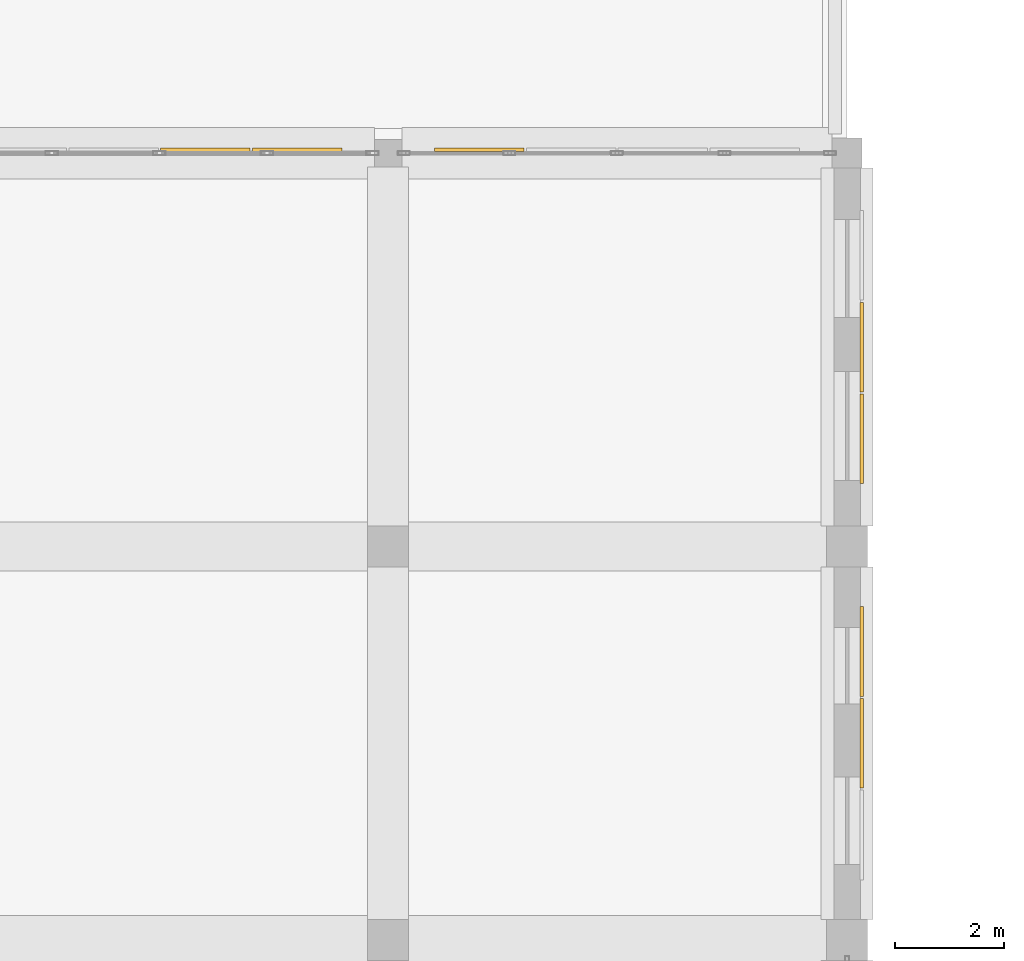
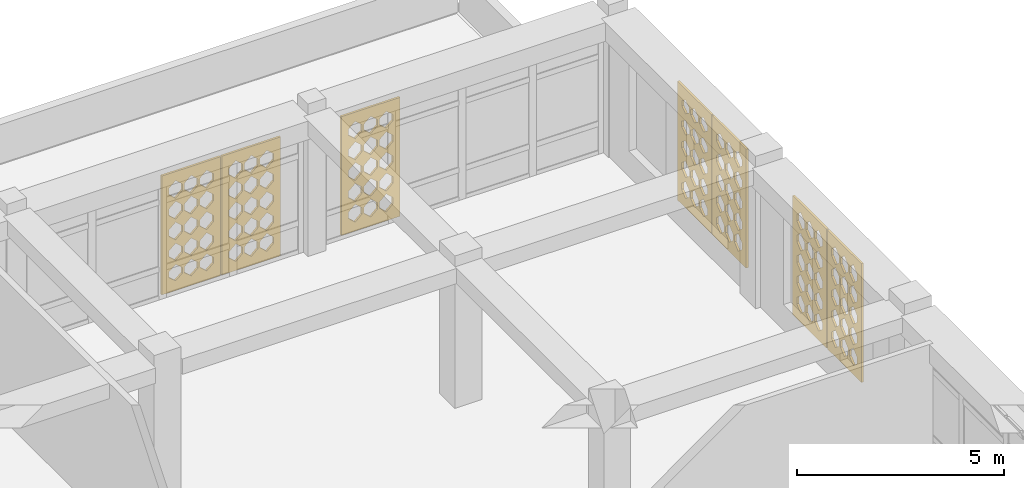
# One storey, part 104 of 111: 7 coverings.
"""IFC4 building model written with IfcOpenShell, lengths in metres."""

import ifcopenshell
import ifcopenshell.guid

model = None  # the IFC model being written
_history = None  # IfcOwnerHistory: only IFC2X3 demands one
_inside = {}  # id of a spatial element -> (the spatial element, [elements in it])
_under = {}  # id of a project, library or spatial element -> (it, [spatial elements below it])
_declared = {}  # id of a project -> (the project, [libraries it declares])
_typed = {}  # id of a type object -> (the type object, [elements of that type])
_made_of = {}  # id of a material, layer set ... -> (it, [elements and type objects made of it])


def new_model(schema):
    """Start an empty IFC model of exactly this schema.

    Asked for "IFC4X3", IfcOpenShell would pick the latest addendum, in which some entities
    have other attributes; the version numbers below select the first issue.
    IFC2X3 requires an IfcOwnerHistory on every rooted entity: one is made here for all.
    """
    global model, _history
    if schema == "IFC4X3":
        model = ifcopenshell.file(schema_version=(4, 3, 0, 0))
    else:
        model = ifcopenshell.file(schema=schema)
    _inside.clear()
    _under.clear()
    _declared.clear()
    _typed.clear()
    _made_of.clear()
    _history = None
    if model.schema == "IFC2X3":
        org = make("IfcOrganization", Name="unknown")
        user = make(
            "IfcPersonAndOrganization",
            ThePerson=make("IfcPerson", FamilyName="unknown"),
            TheOrganization=org,
        )
        app = make(
            "IfcApplication",
            ApplicationDeveloper=org,
            Version="unknown",
            ApplicationFullName="unknown",
            ApplicationIdentifier="unknown",
        )
        _history = make(
            "IfcOwnerHistory",
            OwningUser=user,
            OwningApplication=app,
            ChangeAction="ADDED",
            CreationDate=0,
        )
    return model


def make(cls, **values):
    """One entity of the class cls with the attributes given. An attribute that is None is left unset."""
    return model.create_entity(
        cls, **{name: value for name, value in values.items() if value is not None}
    )


def rooted(cls, **values):
    """An entity with a GlobalId (a new one), such as an element, a storey or a relation."""
    return make(cls, GlobalId=ifcopenshell.guid.new(), OwnerHistory=_history, **values)


def si_unit(unit_type, name, prefix=None):
    """IfcSIUnit, for example si_unit("LENGTHUNIT", "METRE", prefix="MILLI")."""
    return make("IfcSIUnit", UnitType=unit_type, Prefix=prefix, Name=name)


def derived_unit(unit_type, elements):
    """IfcDerivedUnit: a product of units, each with its exponent."""
    return make(
        "IfcDerivedUnit",
        Elements=[
            make("IfcDerivedUnitElement", Unit=unit, Exponent=power)
            for unit, power in elements
        ],
        UnitType=unit_type,
    )


def assignment(units):
    """IfcUnitAssignment: the units of a project."""
    return None if units is None else make("IfcUnitAssignment", Units=units)


def point(xyz):
    """IfcCartesianPoint."""
    return None if xyz is None else make("IfcCartesianPoint", Coordinates=xyz)


def direction(xyz):
    """IfcDirection."""
    return None if xyz is None else make("IfcDirection", DirectionRatios=xyz)


def frame(location, z_axis=None, x_axis=None):
    """IfcAxis2Placement3D, a coordinate frame: its origin and axes. An axis left out is left unset."""
    return make(
        "IfcAxis2Placement3D",
        Location=point(location),
        Axis=direction(z_axis),
        RefDirection=direction(x_axis),
    )


def origin():
    """The frame at (0, 0, 0) with its axes left unset."""
    return frame((0.0, 0.0, 0.0))


def place(relative_to, where):
    """IfcLocalPlacement: puts the frame where relative to a parent placement (None: the world)."""
    return make(
        "IfcLocalPlacement", PlacementRelTo=relative_to, RelativePlacement=where
    )


def context(
    kind, dimensions, precision=None, world=None, true_north=None, identifier=None
):
    """IfcGeometricRepresentationContext, for example the 3D "Model" context."""
    return make(
        "IfcGeometricRepresentationContext",
        ContextIdentifier=identifier,
        ContextType=kind,
        CoordinateSpaceDimension=dimensions,
        Precision=precision,
        WorldCoordinateSystem=world,
        TrueNorth=true_north,
    )


def subcontext(parent, identifier, kind, view, scale=None):
    """IfcGeometricRepresentationSubContext, for example "Body" below "Model"."""
    return make(
        "IfcGeometricRepresentationSubContext",
        ContextIdentifier=identifier,
        ContextType=kind,
        ParentContext=parent,
        TargetScale=scale,
        TargetView=view,
    )


def project(units=None, contexts=None):
    """IfcProject with its units and contexts."""
    return rooted(
        "IfcProject",
        Name="project",
        RepresentationContexts=contexts,
        UnitsInContext=assignment(units),
    )


def spatial(cls, under=None, at=None, **own):
    """A site, building, storey or space (cls), placed at a placement, below another one or the project."""
    s = rooted(cls, ObjectPlacement=at, **own)
    if under is not None:
        _under.setdefault(under.id(), (under, []))[1].append(s)
    return s


def polyline(points):
    """IfcPolyline through the points."""
    return make("IfcPolyline", Points=[point(p) for p in points])


def outline(outer, holes=None, kind="AREA"):
    """IfcArbitraryClosedProfileDef: a profile drawn as a closed curve; with holes, ...WithVoids."""
    if holes is None:
        return make("IfcArbitraryClosedProfileDef", ProfileType=kind, OuterCurve=outer)
    return make(
        "IfcArbitraryProfileDefWithVoids",
        ProfileType=kind,
        OuterCurve=outer,
        InnerCurves=holes,
    )


def extrude(swept, where, along, depth):
    """IfcExtrudedAreaSolid: the profile swept, set in the frame where, extruded along a direction by depth."""
    return make(
        "IfcExtrudedAreaSolid",
        SweptArea=swept,
        Position=where,
        ExtrudedDirection=direction(along),
        Depth=depth,
    )


def shape(context_of_items, identifier, shape_type, items):
    """IfcShapeRepresentation: the items that make up one representation, for example the "Body"."""
    return make(
        "IfcShapeRepresentation",
        ContextOfItems=context_of_items,
        RepresentationIdentifier=identifier,
        RepresentationType=shape_type,
        Items=items,
    )


def material(Name=None, Category=None):
    """IfcMaterial."""
    return make("IfcMaterial", Name=Name, Category=Category)


def layer(
    of_material, thickness, ventilated=None, Name=None, Category=None, Priority=None
):
    """IfcMaterialLayer: one layer of a wall or slab, of a material (None: an air gap)."""
    return make(
        "IfcMaterialLayer",
        Material=of_material,
        LayerThickness=thickness,
        IsVentilated=ventilated,
        Name=Name,
        Category=Category,
        Priority=Priority,
    )


def layer_set(layers, Name=None):
    """IfcMaterialLayerSet."""
    return make("IfcMaterialLayerSet", MaterialLayers=layers, LayerSetName=Name)


def made_of(thing, what):
    """Note that an element or type object is made of a material, layer set ...; save() writes the relation."""
    if what is not None:
        _made_of.setdefault(what.id(), (what, []))[1].append(thing)
    return thing


def type_object(cls, material=None, **own):
    """A type object (cls), such as IfcWallType, which elements share."""
    return made_of(rooted(cls, **own), material)


def element(
    cls,
    number,
    at=None,
    inside=None,
    cuts=None,
    type_object=None,
    material=None,
    context=None,
    identifier="Body",
    shape_type=None,
    held_by="IfcProductDefinitionShape",
    body=None,
    shapes=None,
    **own,
):
    """One element of the class cls, such as IfcWall. Its Tag is "e" and its number.

    at: its placement. inside: the storey or other place that contains it. cuts: it is an
    opening in that element (IfcRelVoidsElement). A single representation is given by context,
    identifier, shape_type and body (its items); several are given by shapes. held_by: the class
    of the entity that holds the representations. save() writes the other relations.
    """
    e = rooted(cls, Tag="e%d" % number, ObjectPlacement=at, **own)
    if body is not None:
        shapes = [shape(context, identifier, shape_type, body)]
    if shapes is not None:
        e.Representation = make(held_by, Representations=shapes)
    if inside is not None:
        _inside.setdefault(inside.id(), (inside, []))[1].append(e)
    if cuts is not None:
        rooted(
            "IfcRelVoidsElement", RelatingBuildingElement=cuts, RelatedOpeningElement=e
        )
    if type_object is not None:
        _typed.setdefault(type_object.id(), (type_object, []))[1].append(e)
    return made_of(e, material)


def aggregate(whole, parts):
    """IfcRelAggregates: a whole, such as a stair, and the parts it consists of."""
    return rooted("IfcRelAggregates", RelatingObject=whole, RelatedObjects=parts)


def save(model, path):
    """Write the relations noted so far, then the file.

    IfcRelAggregates (storeys below a building ...), IfcRelContainedInSpatialStructure (elements
    in a storey), IfcRelDefinesByType, IfcRelAssociatesMaterial and IfcRelDeclares: one each for
    every whole, place, type object, material and project.
    """
    for whole, parts in _under.values():
        aggregate(whole, parts)
    for where, things in _inside.values():
        rooted(
            "IfcRelContainedInSpatialStructure",
            RelatedElements=things,
            RelatingStructure=where,
        )
    for kind, things in _typed.values():
        rooted("IfcRelDefinesByType", RelatedObjects=things, RelatingType=kind)
    for what, things in _made_of.values():
        rooted("IfcRelAssociatesMaterial", RelatedObjects=things, RelatingMaterial=what)
    for by, libraries in _declared.values():
        rooted("IfcRelDeclares", RelatingContext=by, RelatedDefinitions=libraries)
    model.write(path)


model = new_model("IFC4")

# Units and contexts
model_context = context("Model", 3, precision=1e-05, world=origin(), true_north=direction((0.0, 1.0)))
body_context = subcontext(model_context, "Body", "Model", "MODEL_VIEW")
ifc_project = project(units=[si_unit("LENGTHUNIT", "METRE"), si_unit("AREAUNIT", "SQUARE_METRE"), si_unit("VOLUMEUNIT", "CUBIC_METRE"), si_unit("PLANEANGLEUNIT", "RADIAN"), si_unit("MASSUNIT", "GRAM", prefix="KILO"), derived_unit("THERMALTRANSMITTANCEUNIT", [(si_unit("POWERUNIT", "WATT"), 1), (si_unit("LENGTHUNIT", "METRE"), -2), (si_unit("THERMODYNAMICTEMPERATUREUNIT", "KELVIN"), -1)])], contexts=[model_context])

# Site, building, storey
site_placement = place(None, origin())
site = spatial("IfcSite", under=ifc_project, at=site_placement, CompositionType="ELEMENT")
building_placement = place(site_placement, origin())
building = spatial("IfcBuilding", under=site, at=building_placement, Name="Veybourne Emporium", CompositionType="ELEMENT")
storey_placement = place(building_placement, frame((0.0, 0.0, 9.89990234375)))
storey = spatial("IfcBuildingStorey", under=building, at=storey_placement, Name="L02", CompositionType="ELEMENT", Elevation=9.89990234375)

# Coverings
ifc_material = material(Name="Warm-White Perforated Aluminium Screen Alloy", Category="aluminium")
ifc_layer_1 = layer(ifc_material, 0.06005859375)
ifc_layer_set_1 = layer_set([ifc_layer_1], Name="Warm-White Perforated Aluminium Screen Alloy")
covering_type_1 = type_object("IfcCoveringType", Name="WaveScreen_SCR-01", PredefinedType="CLADDING", material=ifc_layer_set_1)
covering_1_placement = place(storey_placement, frame((101.09814453125, 102.77001953125, 1.815185546875), z_axis=(-1.0, 0.0, 0.0), x_axis=(0.0, -1.0, 0.0)))
element("IfcCovering", 1, at=covering_1_placement, inside=storey, type_object=covering_type_1, Name="L02 wave-perforated aluminium screen SCR-01 (59.3)", PredefinedType="CLADDING", context=body_context, shape_type="SweptSolid", body=[
    extrude(outline(polyline([(-0.81982421875, -1.7548828125), (0.81982421875, -1.7548828125), (0.81982421875, 1.7548828125), (-0.81982421875, 1.7548828125), (-0.81982421875, -1.7548828125)]), holes=[polyline([(-0.433349609375, -0.964111328125), (-0.2470703125, -1.133056640625), (-0.2470703125, -1.322998046875), (-0.433349609375, -1.491943359375), (-0.61962890625, -1.322998046875), (-0.61962890625, -1.133056640625), (-0.433349609375, -0.964111328125)]), polyline([(-0.433349609375, -0.353759765625), (-0.2470703125, -0.520263671875), (-0.2470703125, -0.707763671875), (-0.433349609375, -0.874267578125), (-0.61962890625, -0.707763671875), (-0.61962890625, -0.520263671875), (-0.433349609375, -0.353759765625)]), polyline([(-0.433349609375, 0.251220703125), (-0.2470703125, 0.09033203125), (-0.2470703125, -0.09033203125), (-0.433349609375, -0.251220703125), (-0.61962890625, -0.09033203125), (-0.61962890625, 0.09033203125), (-0.433349609375, 0.251220703125)]), polyline([(-0.433349609375, 0.8544921875), (-0.2470703125, 0.70068359375), (-0.2470703125, 0.52734375), (-0.433349609375, 0.37353515625), (-0.61962890625, 0.52734375), (-0.61962890625, 0.70068359375), (-0.433349609375, 0.8544921875)]), polyline([(-0.433349609375, 1.456298828125), (-0.2470703125, 1.310302734375), (-0.2470703125, 1.145751953125), (-0.433349609375, 0.999755859375), (-0.61962890625, 1.145751953125), (-0.61962890625, 1.310302734375), (-0.433349609375, 1.456298828125)]), polyline([(0.0, -0.964111328125), (0.186279296875, -1.133056640625), (0.186279296875, -1.322998046875), (0.0, -1.491943359375), (-0.186279296875, -1.322998046875), (-0.186279296875, -1.133056640625), (0.0, -0.964111328125)]), polyline([(0.0, -0.350341796875), (0.186279296875, -0.51904296875), (0.186279296875, -0.708984375), (0.0, -0.877685546875), (-0.186279296875, -0.708984375), (-0.186279296875, -0.51904296875), (0.0, -0.350341796875)]), polyline([(0.0, 0.255615234375), (0.186279296875, 0.092041015625), (0.186279296875, -0.092041015625), (0.0, -0.255615234375), (-0.186279296875, -0.092041015625), (-0.186279296875, 0.092041015625), (0.0, 0.255615234375)]), polyline([(0.0, 0.859619140625), (0.186279296875, 0.702392578125), (0.186279296875, 0.525634765625), (0.0, 0.368408203125), (-0.186279296875, 0.525634765625), (-0.186279296875, 0.702392578125), (0.0, 0.859619140625)]), polyline([(0.0, 1.4619140625), (0.186279296875, 1.312255859375), (0.186279296875, 1.143798828125), (0.0, 0.994140625), (-0.186279296875, 1.143798828125), (-0.186279296875, 1.312255859375), (0.0, 1.4619140625)]), polyline([(0.433349609375, -0.964111328125), (0.61962890625, -1.133056640625), (0.61962890625, -1.322998046875), (0.433349609375, -1.491943359375), (0.2470703125, -1.322998046875), (0.2470703125, -1.133056640625), (0.433349609375, -0.964111328125)]), polyline([(0.433349609375, -0.35009765625), (0.61962890625, -0.51904296875), (0.61962890625, -0.708984375), (0.433349609375, -0.8779296875), (0.2470703125, -0.708984375), (0.2470703125, -0.51904296875), (0.433349609375, -0.35009765625)]), polyline([(0.433349609375, 0.259521484375), (0.61962890625, 0.093505859375), (0.61962890625, -0.093505859375), (0.433349609375, -0.259521484375), (0.2470703125, -0.093505859375), (0.2470703125, 0.093505859375), (0.433349609375, 0.259521484375)]), polyline([(0.433349609375, 0.8642578125), (0.61962890625, 0.7041015625), (0.61962890625, 0.52392578125), (0.433349609375, 0.36376953125), (0.2470703125, 0.52392578125), (0.2470703125, 0.7041015625), (0.433349609375, 0.8642578125)]), polyline([(0.433349609375, 1.46728515625), (0.61962890625, 1.314208984375), (0.61962890625, 1.141845703125), (0.433349609375, 0.98876953125), (0.2470703125, 1.141845703125), (0.2470703125, 1.314208984375), (0.433349609375, 1.46728515625)])]), origin(), (0.0, 0.0, 1.0), 0.06005859375),
])
ifc_layer_2 = layer(ifc_material, 0.06005859375)
ifc_layer_set_2 = layer_set([ifc_layer_2], Name="Warm-White Perforated Aluminium Screen Alloy")
covering_type_2 = type_object("IfcCoveringType", Name="WaveScreen_SCR-02", PredefinedType="CLADDING", material=ifc_layer_set_2)
covering_2_placement = place(storey_placement, frame((101.09814453125, 98.8798828125, 1.815185546875), z_axis=(-1.0, 0.0, 0.0), x_axis=(0.0, -1.0, 0.0)))
element("IfcCovering", 2, at=covering_2_placement, inside=storey, type_object=covering_type_2, Name="L02 wave-perforated aluminium screen SCR-02 (58.1)", PredefinedType="CLADDING", context=body_context, shape_type="SweptSolid", body=[
    extrude(outline(polyline([(-0.81982421875, -1.7548828125), (0.81982421875, -1.7548828125), (0.81982421875, 1.7548828125), (-0.81982421875, 1.7548828125), (-0.81982421875, -1.7548828125)]), holes=[polyline([(-0.433349609375, -0.964111328125), (-0.2470703125, -1.133056640625), (-0.2470703125, -1.322998046875), (-0.433349609375, -1.491943359375), (-0.61962890625, -1.322998046875), (-0.61962890625, -1.133056640625), (-0.433349609375, -0.964111328125)]), polyline([(-0.433349609375, -0.35009765625), (-0.2470703125, -0.51904296875), (-0.2470703125, -0.708984375), (-0.433349609375, -0.8779296875), (-0.61962890625, -0.708984375), (-0.61962890625, -0.51904296875), (-0.433349609375, -0.35009765625)]), polyline([(-0.433349609375, 0.263916015625), (-0.2470703125, 0.094970703125), (-0.2470703125, -0.094970703125), (-0.433349609375, -0.263916015625), (-0.61962890625, -0.094970703125), (-0.61962890625, 0.094970703125), (-0.433349609375, 0.263916015625)]), polyline([(-0.433349609375, 0.8779296875), (-0.2470703125, 0.708984375), (-0.2470703125, 0.51904296875), (-0.433349609375, 0.35009765625), (-0.61962890625, 0.51904296875), (-0.61962890625, 0.708984375), (-0.433349609375, 0.8779296875)]), polyline([(-0.433349609375, 1.491943359375), (-0.2470703125, 1.322998046875), (-0.2470703125, 1.133056640625), (-0.433349609375, 0.964111328125), (-0.61962890625, 1.133056640625), (-0.61962890625, 1.322998046875), (-0.433349609375, 1.491943359375)]), polyline([(0.0, -0.964111328125), (0.186279296875, -1.133056640625), (0.186279296875, -1.322998046875), (0.0, -1.491943359375), (-0.186279296875, -1.322998046875), (-0.186279296875, -1.133056640625), (0.0, -0.964111328125)]), polyline([(0.0, -0.35009765625), (0.186279296875, -0.51904296875), (0.186279296875, -0.708984375), (0.0, -0.8779296875), (-0.186279296875, -0.708984375), (-0.186279296875, -0.51904296875), (0.0, -0.35009765625)]), polyline([(0.0, 0.263916015625), (0.186279296875, 0.094970703125), (0.186279296875, -0.094970703125), (0.0, -0.263916015625), (-0.186279296875, -0.094970703125), (-0.186279296875, 0.094970703125), (0.0, 0.263916015625)]), polyline([(0.0, 0.8779296875), (0.186279296875, 0.708984375), (0.186279296875, 0.51904296875), (0.0, 0.35009765625), (-0.186279296875, 0.51904296875), (-0.186279296875, 0.708984375), (0.0, 0.8779296875)]), polyline([(0.0, 1.491943359375), (0.186279296875, 1.322998046875), (0.186279296875, 1.133056640625), (0.0, 0.964111328125), (-0.186279296875, 1.133056640625), (-0.186279296875, 1.322998046875), (0.0, 1.491943359375)]), polyline([(0.433349609375, -0.964111328125), (0.61962890625, -1.133056640625), (0.61962890625, -1.322998046875), (0.433349609375, -1.491943359375), (0.2470703125, -1.322998046875), (0.2470703125, -1.133056640625), (0.433349609375, -0.964111328125)]), polyline([(0.433349609375, -0.35009765625), (0.61962890625, -0.51904296875), (0.61962890625, -0.708984375), (0.433349609375, -0.8779296875), (0.2470703125, -0.708984375), (0.2470703125, -0.51904296875), (0.433349609375, -0.35009765625)]), polyline([(0.433349609375, 0.263916015625), (0.61962890625, 0.094970703125), (0.61962890625, -0.094970703125), (0.433349609375, -0.263916015625), (0.2470703125, -0.094970703125), (0.2470703125, 0.094970703125), (0.433349609375, 0.263916015625)]), polyline([(0.433349609375, 0.8779296875), (0.61962890625, 0.708984375), (0.61962890625, 0.51904296875), (0.433349609375, 0.35009765625), (0.2470703125, 0.51904296875), (0.2470703125, 0.708984375), (0.433349609375, 0.8779296875)]), polyline([(0.433349609375, 1.491943359375), (0.61962890625, 1.322998046875), (0.61962890625, 1.133056640625), (0.433349609375, 0.964111328125), (0.2470703125, 1.133056640625), (0.2470703125, 1.322998046875), (0.433349609375, 1.491943359375)])]), origin(), (0.0, 0.0, 1.0), 0.06005859375),
])
ifc_layer_3 = layer(ifc_material, 0.06005859375)
ifc_layer_set_3 = layer_set([ifc_layer_3], Name="Warm-White Perforated Aluminium Screen Alloy")
covering_type_3 = type_object("IfcCoveringType", Name="WaveScreen_SCR-03", PredefinedType="CLADDING", material=ifc_layer_set_3)
covering_3_placement = place(storey_placement, frame((89.052490234375, 108.095458984375, 1.815185546875), z_axis=(0.0, -1.0, 0.0), x_axis=(1.0, 0.0, 0.0)))
element("IfcCovering", 3, at=covering_3_placement, inside=storey, type_object=covering_type_3, Name="L02 wave-perforated aluminium screen SCR-03 (45C.3)", PredefinedType="CLADDING", context=body_context, shape_type="SweptSolid", body=[
    extrude(outline(polyline([(-0.81982421875, -1.7548828125), (0.81982421875, -1.7548828125), (0.81982421875, 1.7548828125), (-0.81982421875, 1.7548828125), (-0.81982421875, -1.7548828125)]), holes=[polyline([(-0.433349609375, -0.986083984375), (-0.2470703125, -1.14111328125), (-0.2470703125, -1.31494140625), (-0.433349609375, -1.4697265625), (-0.61962890625, -1.31494140625), (-0.61962890625, -1.14111328125), (-0.433349609375, -0.986083984375)]), polyline([(-0.433349609375, -0.361572265625), (-0.2470703125, -0.523193359375), (-0.2470703125, -0.704833984375), (-0.433349609375, -0.866455078125), (-0.61962890625, -0.704833984375), (-0.61962890625, -0.523193359375), (-0.433349609375, -0.361572265625)]), polyline([(-0.433349609375, 0.26123046875), (-0.2470703125, 0.093994140625), (-0.2470703125, -0.093994140625), (-0.433349609375, -0.26123046875), (-0.61962890625, -0.093994140625), (-0.61962890625, 0.093994140625), (-0.433349609375, 0.26123046875)]), polyline([(-0.433349609375, 0.8779296875), (-0.2470703125, 0.708984375), (-0.2470703125, 0.51904296875), (-0.433349609375, 0.35009765625), (-0.61962890625, 0.51904296875), (-0.61962890625, 0.708984375), (-0.433349609375, 0.8779296875)]), polyline([(-0.433349609375, 1.491943359375), (-0.2470703125, 1.322998046875), (-0.2470703125, 1.133056640625), (-0.433349609375, 0.964111328125), (-0.61962890625, 1.133056640625), (-0.61962890625, 1.322998046875), (-0.433349609375, 1.491943359375)]), polyline([(0.0, -0.981201171875), (0.186279296875, -1.13916015625), (0.186279296875, -1.31689453125), (0.0, -1.474853515625), (-0.186279296875, -1.31689453125), (-0.186279296875, -1.13916015625), (0.0, -0.981201171875)]), polyline([(0.0, -0.357421875), (0.186279296875, -0.521484375), (0.186279296875, -0.706298828125), (0.0, -0.87060546875), (-0.186279296875, -0.706298828125), (-0.186279296875, -0.521484375), (0.0, -0.357421875)]), polyline([(0.0, 0.263916015625), (0.186279296875, 0.094970703125), (0.186279296875, -0.094970703125), (0.0, -0.263916015625), (-0.186279296875, -0.094970703125), (-0.186279296875, 0.094970703125), (0.0, 0.263916015625)]), polyline([(0.0, 0.8779296875), (0.186279296875, 0.708984375), (0.186279296875, 0.51904296875), (0.0, 0.35009765625), (-0.186279296875, 0.51904296875), (-0.186279296875, 0.708984375), (0.0, 0.8779296875)]), polyline([(0.0, 1.491943359375), (0.186279296875, 1.322998046875), (0.186279296875, 1.133056640625), (0.0, 0.964111328125), (-0.186279296875, 1.133056640625), (-0.186279296875, 1.322998046875), (0.0, 1.491943359375)]), polyline([(0.433349609375, -0.9765625), (0.61962890625, -1.137451171875), (0.61962890625, -1.318603515625), (0.433349609375, -1.4794921875), (0.2470703125, -1.318603515625), (0.2470703125, -1.137451171875), (0.433349609375, -0.9765625)]), polyline([(0.433349609375, -0.353515625), (0.61962890625, -0.520263671875), (0.61962890625, -0.707763671875), (0.433349609375, -0.87451171875), (0.2470703125, -0.707763671875), (0.2470703125, -0.520263671875), (0.433349609375, -0.353515625)]), polyline([(0.433349609375, 0.263916015625), (0.61962890625, 0.094970703125), (0.61962890625, -0.094970703125), (0.433349609375, -0.263916015625), (0.2470703125, -0.094970703125), (0.2470703125, 0.094970703125), (0.433349609375, 0.263916015625)]), polyline([(0.433349609375, 0.8779296875), (0.61962890625, 0.708984375), (0.61962890625, 0.51904296875), (0.433349609375, 0.35009765625), (0.2470703125, 0.51904296875), (0.2470703125, 0.708984375), (0.433349609375, 0.8779296875)]), polyline([(0.433349609375, 1.491943359375), (0.61962890625, 1.322998046875), (0.61962890625, 1.133056640625), (0.433349609375, 0.964111328125), (0.2470703125, 1.133056640625), (0.2470703125, 1.322998046875), (0.433349609375, 1.491943359375)])]), origin(), (0.0, 0.0, 1.0), 0.06005859375),
])
covering_4_placement = place(storey_placement, frame((101.09814453125, 97.199951171875, 1.815185546875), z_axis=(-1.0, 0.0, 0.0), x_axis=(0.0, -1.0, 0.0)))
element("IfcCovering", 4, at=covering_4_placement, inside=storey, type_object=covering_type_3, Name="L02 wave-perforated aluminium screen SCR-03 (58.2)", PredefinedType="CLADDING", context=body_context, shape_type="SweptSolid", body=[
    extrude(outline(polyline([(-0.81982421875, -1.7548828125), (0.81982421875, -1.7548828125), (0.81982421875, 1.7548828125), (-0.81982421875, 1.7548828125), (-0.81982421875, -1.7548828125)]), holes=[polyline([(-0.433349609375, -0.9658203125), (-0.2470703125, -1.1337890625), (-0.2470703125, -1.322265625), (-0.433349609375, -1.489990234375), (-0.61962890625, -1.322265625), (-0.61962890625, -1.1337890625), (-0.433349609375, -0.9658203125)]), polyline([(-0.433349609375, -0.35009765625), (-0.2470703125, -0.51904296875), (-0.2470703125, -0.708984375), (-0.433349609375, -0.8779296875), (-0.61962890625, -0.708984375), (-0.61962890625, -0.51904296875), (-0.433349609375, -0.35009765625)]), polyline([(-0.433349609375, 0.263916015625), (-0.2470703125, 0.094970703125), (-0.2470703125, -0.094970703125), (-0.433349609375, -0.263916015625), (-0.61962890625, -0.094970703125), (-0.61962890625, 0.094970703125), (-0.433349609375, 0.263916015625)]), polyline([(-0.433349609375, 0.8779296875), (-0.2470703125, 0.708984375), (-0.2470703125, 0.51904296875), (-0.433349609375, 0.35009765625), (-0.61962890625, 0.51904296875), (-0.61962890625, 0.708984375), (-0.433349609375, 0.8779296875)]), polyline([(-0.433349609375, 1.491943359375), (-0.2470703125, 1.322998046875), (-0.2470703125, 1.133056640625), (-0.433349609375, 0.964111328125), (-0.61962890625, 1.133056640625), (-0.61962890625, 1.322998046875), (-0.433349609375, 1.491943359375)]), polyline([(0.0, -0.969482421875), (0.186279296875, -1.135009765625), (0.186279296875, -1.321044921875), (0.0, -1.486328125), (-0.186279296875, -1.321044921875), (-0.186279296875, -1.135009765625), (0.0, -0.969482421875)]), polyline([(0.0, -0.35009765625), (0.186279296875, -0.51904296875), (0.186279296875, -0.708984375), (0.0, -0.8779296875), (-0.186279296875, -0.708984375), (-0.186279296875, -0.51904296875), (0.0, -0.35009765625)]), polyline([(0.0, 0.263916015625), (0.186279296875, 0.094970703125), (0.186279296875, -0.094970703125), (0.0, -0.263916015625), (-0.186279296875, -0.094970703125), (-0.186279296875, 0.094970703125), (0.0, 0.263916015625)]), polyline([(0.0, 0.8779296875), (0.186279296875, 0.708984375), (0.186279296875, 0.51904296875), (0.0, 0.35009765625), (-0.186279296875, 0.51904296875), (-0.186279296875, 0.708984375), (0.0, 0.8779296875)]), polyline([(0.0, 1.491943359375), (0.186279296875, 1.322998046875), (0.186279296875, 1.133056640625), (0.0, 0.964111328125), (-0.186279296875, 1.133056640625), (-0.186279296875, 1.322998046875), (0.0, 1.491943359375)]), polyline([(0.433349609375, -0.9736328125), (0.61962890625, -1.136474609375), (0.61962890625, -1.319580078125), (0.433349609375, -1.482421875), (0.2470703125, -1.319580078125), (0.2470703125, -1.136474609375), (0.433349609375, -0.9736328125)]), polyline([(0.433349609375, -0.351318359375), (0.61962890625, -0.519287109375), (0.61962890625, -0.70849609375), (0.433349609375, -0.876708984375), (0.2470703125, -0.70849609375), (0.2470703125, -0.519287109375), (0.433349609375, -0.351318359375)]), polyline([(0.433349609375, 0.263916015625), (0.61962890625, 0.094970703125), (0.61962890625, -0.094970703125), (0.433349609375, -0.263916015625), (0.2470703125, -0.094970703125), (0.2470703125, 0.094970703125), (0.433349609375, 0.263916015625)]), polyline([(0.433349609375, 0.8779296875), (0.61962890625, 0.708984375), (0.61962890625, 0.51904296875), (0.433349609375, 0.35009765625), (0.2470703125, 0.51904296875), (0.2470703125, 0.708984375), (0.433349609375, 0.8779296875)]), polyline([(0.433349609375, 1.491943359375), (0.61962890625, 1.322998046875), (0.61962890625, 1.133056640625), (0.433349609375, 0.964111328125), (0.2470703125, 1.133056640625), (0.2470703125, 1.322998046875), (0.433349609375, 1.491943359375)])]), origin(), (0.0, 0.0, 1.0), 0.06005859375),
])
ifc_layer_4 = layer(ifc_material, 0.06005859375)
ifc_layer_set_4 = layer_set([ifc_layer_4], Name="Warm-White Perforated Aluminium Screen Alloy")
covering_type_4 = type_object("IfcCoveringType", Name="WaveScreen_SCR-04", PredefinedType="CLADDING", material=ifc_layer_set_4)
covering_5_placement = place(storey_placement, frame((90.732421875, 108.095458984375, 1.815185546875), z_axis=(0.0, -1.0, 0.0), x_axis=(1.0, 0.0, 0.0)))
element("IfcCovering", 5, at=covering_5_placement, inside=storey, type_object=covering_type_4, Name="L02 wave-perforated aluminium screen SCR-04 (45C.4)", PredefinedType="CLADDING", context=body_context, shape_type="SweptSolid", body=[
    extrude(outline(polyline([(-0.81982421875, -1.7548828125), (0.81982421875, -1.7548828125), (0.81982421875, 1.7548828125), (-0.81982421875, 1.7548828125), (-0.81982421875, -1.7548828125)]), holes=[polyline([(-0.433349609375, -0.96875), (-0.2470703125, -1.134765625), (-0.2470703125, -1.3212890625), (-0.433349609375, -1.4873046875), (-0.61962890625, -1.3212890625), (-0.61962890625, -1.134765625), (-0.433349609375, -0.96875)]), polyline([(-0.433349609375, -0.35009765625), (-0.2470703125, -0.51904296875), (-0.2470703125, -0.708984375), (-0.433349609375, -0.8779296875), (-0.61962890625, -0.708984375), (-0.61962890625, -0.51904296875), (-0.433349609375, -0.35009765625)]), polyline([(-0.433349609375, 0.263916015625), (-0.2470703125, 0.094970703125), (-0.2470703125, -0.094970703125), (-0.433349609375, -0.263916015625), (-0.61962890625, -0.094970703125), (-0.61962890625, 0.094970703125), (-0.433349609375, 0.263916015625)]), polyline([(-0.433349609375, 0.8779296875), (-0.2470703125, 0.708984375), (-0.2470703125, 0.51904296875), (-0.433349609375, 0.35009765625), (-0.61962890625, 0.51904296875), (-0.61962890625, 0.708984375), (-0.433349609375, 0.8779296875)]), polyline([(-0.433349609375, 1.491943359375), (-0.2470703125, 1.322998046875), (-0.2470703125, 1.133056640625), (-0.433349609375, 0.964111328125), (-0.61962890625, 1.133056640625), (-0.61962890625, 1.322998046875), (-0.433349609375, 1.491943359375)]), polyline([(0.0, -0.965087890625), (0.186279296875, -1.13330078125), (0.186279296875, -1.322509765625), (0.0, -1.49072265625), (-0.186279296875, -1.322509765625), (-0.186279296875, -1.13330078125), (0.0, -0.965087890625)]), polyline([(0.0, -0.35009765625), (0.186279296875, -0.51904296875), (0.186279296875, -0.708984375), (0.0, -0.8779296875), (-0.186279296875, -0.708984375), (-0.186279296875, -0.51904296875), (0.0, -0.35009765625)]), polyline([(0.0, 0.263916015625), (0.186279296875, 0.094970703125), (0.186279296875, -0.094970703125), (0.0, -0.263916015625), (-0.186279296875, -0.094970703125), (-0.186279296875, 0.094970703125), (0.0, 0.263916015625)]), polyline([(0.0, 0.8779296875), (0.186279296875, 0.708984375), (0.186279296875, 0.51904296875), (0.0, 0.35009765625), (-0.186279296875, 0.51904296875), (-0.186279296875, 0.708984375), (0.0, 0.8779296875)]), polyline([(0.0, 1.491943359375), (0.186279296875, 1.322998046875), (0.186279296875, 1.133056640625), (0.0, 0.964111328125), (-0.186279296875, 1.133056640625), (-0.186279296875, 1.322998046875), (0.0, 1.491943359375)]), polyline([(0.433349609375, -0.964111328125), (0.61962890625, -1.133056640625), (0.61962890625, -1.322998046875), (0.433349609375, -1.491943359375), (0.2470703125, -1.322998046875), (0.2470703125, -1.133056640625), (0.433349609375, -0.964111328125)]), polyline([(0.433349609375, -0.35009765625), (0.61962890625, -0.51904296875), (0.61962890625, -0.708984375), (0.433349609375, -0.8779296875), (0.2470703125, -0.708984375), (0.2470703125, -0.51904296875), (0.433349609375, -0.35009765625)]), polyline([(0.433349609375, 0.263916015625), (0.61962890625, 0.094970703125), (0.61962890625, -0.094970703125), (0.433349609375, -0.263916015625), (0.2470703125, -0.094970703125), (0.2470703125, 0.094970703125), (0.433349609375, 0.263916015625)]), polyline([(0.433349609375, 0.8779296875), (0.61962890625, 0.708984375), (0.61962890625, 0.51904296875), (0.433349609375, 0.35009765625), (0.2470703125, 0.51904296875), (0.2470703125, 0.708984375), (0.433349609375, 0.8779296875)]), polyline([(0.433349609375, 1.491943359375), (0.61962890625, 1.322998046875), (0.61962890625, 1.133056640625), (0.433349609375, 0.964111328125), (0.2470703125, 1.133056640625), (0.2470703125, 1.322998046875), (0.433349609375, 1.491943359375)])]), origin(), (0.0, 0.0, 1.0), 0.06005859375),
])
covering_6_placement = place(storey_placement, frame((101.09814453125, 104.449951171875, 1.815185546875), z_axis=(-1.0, 0.0, 0.0), x_axis=(0.0, -1.0, 0.0)))
element("IfcCovering", 6, at=covering_6_placement, inside=storey, type_object=covering_type_4, Name="L02 wave-perforated aluminium screen SCR-04 (59.2)", PredefinedType="CLADDING", context=body_context, shape_type="SweptSolid", body=[
    extrude(outline(polyline([(-0.81982421875, -1.7548828125), (0.81982421875, -1.7548828125), (0.81982421875, 1.7548828125), (-0.81982421875, 1.7548828125), (-0.81982421875, -1.7548828125)]), holes=[polyline([(-0.433349609375, -0.974365234375), (-0.2470703125, -1.13671875), (-0.2470703125, -1.3193359375), (-0.433349609375, -1.481689453125), (-0.61962890625, -1.3193359375), (-0.61962890625, -1.13671875), (-0.433349609375, -0.974365234375)]), polyline([(-0.433349609375, -0.370849609375), (-0.2470703125, -0.526611328125), (-0.2470703125, -0.701416015625), (-0.433349609375, -0.857177734375), (-0.61962890625, -0.701416015625), (-0.61962890625, -0.526611328125), (-0.433349609375, -0.370849609375)]), polyline([(-0.433349609375, 0.231201171875), (-0.2470703125, 0.083251953125), (-0.2470703125, -0.083251953125), (-0.433349609375, -0.231201171875), (-0.61962890625, -0.083251953125), (-0.61962890625, 0.083251953125), (-0.433349609375, 0.231201171875)]), polyline([(-0.433349609375, 0.832275390625), (-0.2470703125, 0.692626953125), (-0.2470703125, 0.535400390625), (-0.433349609375, 0.395751953125), (-0.61962890625, 0.535400390625), (-0.61962890625, 0.692626953125), (-0.433349609375, 0.832275390625)]), polyline([(-0.433349609375, 1.4326171875), (-0.256103515625, 1.301513671875), (-0.256103515625, 1.154296875), (-0.433349609375, 1.0234375), (-0.610595703125, 1.154296875), (-0.610595703125, 1.301513671875), (-0.433349609375, 1.4326171875)]), polyline([(0.0, -0.97021484375), (0.186279296875, -1.13525390625), (0.186279296875, -1.32080078125), (0.0, -1.485595703125), (-0.186279296875, -1.32080078125), (-0.186279296875, -1.13525390625), (0.0, -0.97021484375)]), polyline([(0.0, -0.365966796875), (0.186279296875, -0.524658203125), (0.186279296875, -0.703369140625), (0.0, -0.862060546875), (-0.186279296875, -0.703369140625), (-0.186279296875, -0.524658203125), (0.0, -0.365966796875)]), polyline([(0.0, 0.23681640625), (0.186279296875, 0.085205078125), (0.186279296875, -0.085205078125), (0.0, -0.23681640625), (-0.186279296875, -0.085205078125), (-0.186279296875, 0.085205078125), (0.0, 0.23681640625)]), polyline([(0.0, 0.83837890625), (0.186279296875, 0.694580078125), (0.186279296875, 0.533203125), (0.0, 0.3896484375), (-0.186279296875, 0.533203125), (-0.186279296875, 0.694580078125), (0.0, 0.83837890625)]), polyline([(0.0, 1.438720703125), (0.1826171875, 1.303955078125), (0.1826171875, 1.152099609375), (0.0, 1.01708984375), (-0.1826171875, 1.152099609375), (-0.1826171875, 1.303955078125), (0.0, 1.438720703125)]), polyline([(0.433349609375, -0.966552734375), (0.61962890625, -1.1337890625), (0.61962890625, -1.322021484375), (0.433349609375, -1.489501953125), (0.2470703125, -1.322021484375), (0.2470703125, -1.1337890625), (0.433349609375, -0.966552734375)]), polyline([(0.433349609375, -0.361328125), (0.61962890625, -0.52294921875), (0.61962890625, -0.705078125), (0.433349609375, -0.86669921875), (0.2470703125, -0.705078125), (0.2470703125, -0.52294921875), (0.433349609375, -0.361328125)]), polyline([(0.433349609375, 0.2421875), (0.61962890625, 0.087158203125), (0.61962890625, -0.087158203125), (0.433349609375, -0.2421875), (0.2470703125, -0.087158203125), (0.2470703125, 0.087158203125), (0.433349609375, 0.2421875)]), polyline([(0.433349609375, 0.843994140625), (0.61962890625, 0.69677734375), (0.61962890625, 0.53125), (0.433349609375, 0.3837890625), (0.2470703125, 0.53125), (0.2470703125, 0.69677734375), (0.433349609375, 0.843994140625)]), polyline([(0.433349609375, 1.445068359375), (0.61962890625, 1.30615234375), (0.61962890625, 1.14990234375), (0.433349609375, 1.010986328125), (0.2470703125, 1.14990234375), (0.2470703125, 1.30615234375), (0.433349609375, 1.445068359375)])]), origin(), (0.0, 0.0, 1.0), 0.06005859375),
])
covering_7_placement = place(storey_placement, frame((94.0673828125, 108.093017578125, 1.815185546875), z_axis=(0.0, -1.0, 0.0), x_axis=(1.0, 0.0, 0.0)))
element("IfcCovering", 7, at=covering_7_placement, inside=storey, type_object=covering_type_4, Name="L02 wave-perforated aluminium screen SCR-04 (60C.1)", PredefinedType="CLADDING", context=body_context, shape_type="SweptSolid", body=[
    extrude(outline(polyline([(-0.81982421875, -1.7548828125), (0.81982421875, -1.7548828125), (0.81982421875, 1.7548828125), (-0.81982421875, 1.7548828125), (-0.81982421875, -1.7548828125)]), holes=[polyline([(-0.433349609375, -0.964111328125), (-0.2470703125, -1.133056640625), (-0.2470703125, -1.322998046875), (-0.433349609375, -1.491943359375), (-0.61962890625, -1.322998046875), (-0.61962890625, -1.133056640625), (-0.433349609375, -0.964111328125)]), polyline([(-0.433349609375, -0.35009765625), (-0.2470703125, -0.51904296875), (-0.2470703125, -0.708984375), (-0.433349609375, -0.8779296875), (-0.61962890625, -0.708984375), (-0.61962890625, -0.51904296875), (-0.433349609375, -0.35009765625)]), polyline([(-0.433349609375, 0.263916015625), (-0.2470703125, 0.094970703125), (-0.2470703125, -0.094970703125), (-0.433349609375, -0.263916015625), (-0.61962890625, -0.094970703125), (-0.61962890625, 0.094970703125), (-0.433349609375, 0.263916015625)]), polyline([(-0.433349609375, 0.8779296875), (-0.2470703125, 0.708984375), (-0.2470703125, 0.51904296875), (-0.433349609375, 0.35009765625), (-0.61962890625, 0.51904296875), (-0.61962890625, 0.708984375), (-0.433349609375, 0.8779296875)]), polyline([(-0.433349609375, 1.485595703125), (-0.2470703125, 1.32080078125), (-0.2470703125, 1.13525390625), (-0.433349609375, 0.97021484375), (-0.61962890625, 1.13525390625), (-0.61962890625, 1.32080078125), (-0.433349609375, 1.485595703125)]), polyline([(0.0, -0.964111328125), (0.186279296875, -1.133056640625), (0.186279296875, -1.322998046875), (0.0, -1.491943359375), (-0.186279296875, -1.322998046875), (-0.186279296875, -1.133056640625), (0.0, -0.964111328125)]), polyline([(0.0, -0.35009765625), (0.186279296875, -0.51904296875), (0.186279296875, -0.708984375), (0.0, -0.8779296875), (-0.186279296875, -0.708984375), (-0.186279296875, -0.51904296875), (0.0, -0.35009765625)]), polyline([(0.0, 0.263916015625), (0.186279296875, 0.094970703125), (0.186279296875, -0.094970703125), (0.0, -0.263916015625), (-0.186279296875, -0.094970703125), (-0.186279296875, 0.094970703125), (0.0, 0.263916015625)]), polyline([(0.0, 0.876220703125), (0.186279296875, 0.70849609375), (0.186279296875, 0.51953125), (0.0, 0.351806640625), (-0.186279296875, 0.51953125), (-0.186279296875, 0.70849609375), (0.0, 0.876220703125)]), polyline([(0.0, 1.481689453125), (0.186279296875, 1.3193359375), (0.186279296875, 1.13671875), (0.0, 0.974365234375), (-0.186279296875, 1.13671875), (-0.186279296875, 1.3193359375), (0.0, 1.481689453125)]), polyline([(0.433349609375, -0.964111328125), (0.61962890625, -1.133056640625), (0.61962890625, -1.322998046875), (0.433349609375, -1.491943359375), (0.2470703125, -1.322998046875), (0.2470703125, -1.133056640625), (0.433349609375, -0.964111328125)]), polyline([(0.433349609375, -0.35009765625), (0.61962890625, -0.51904296875), (0.61962890625, -0.708984375), (0.433349609375, -0.8779296875), (0.2470703125, -0.708984375), (0.2470703125, -0.51904296875), (0.433349609375, -0.35009765625)]), polyline([(0.433349609375, 0.263916015625), (0.61962890625, 0.094970703125), (0.61962890625, -0.094970703125), (0.433349609375, -0.263916015625), (0.2470703125, -0.094970703125), (0.2470703125, 0.094970703125), (0.433349609375, 0.263916015625)]), polyline([(0.433349609375, 0.87255859375), (0.61962890625, 0.70703125), (0.61962890625, 0.52099609375), (0.433349609375, 0.35546875), (0.2470703125, 0.52099609375), (0.2470703125, 0.70703125), (0.433349609375, 0.87255859375)]), polyline([(0.433349609375, 1.47705078125), (0.61962890625, 1.317626953125), (0.61962890625, 1.13818359375), (0.433349609375, 0.97900390625), (0.2470703125, 1.13818359375), (0.2470703125, 1.317626953125), (0.433349609375, 1.47705078125)])]), origin(), (0.0, 0.0, 1.0), 0.06005859375),
])

save(model, "model.ifc")
